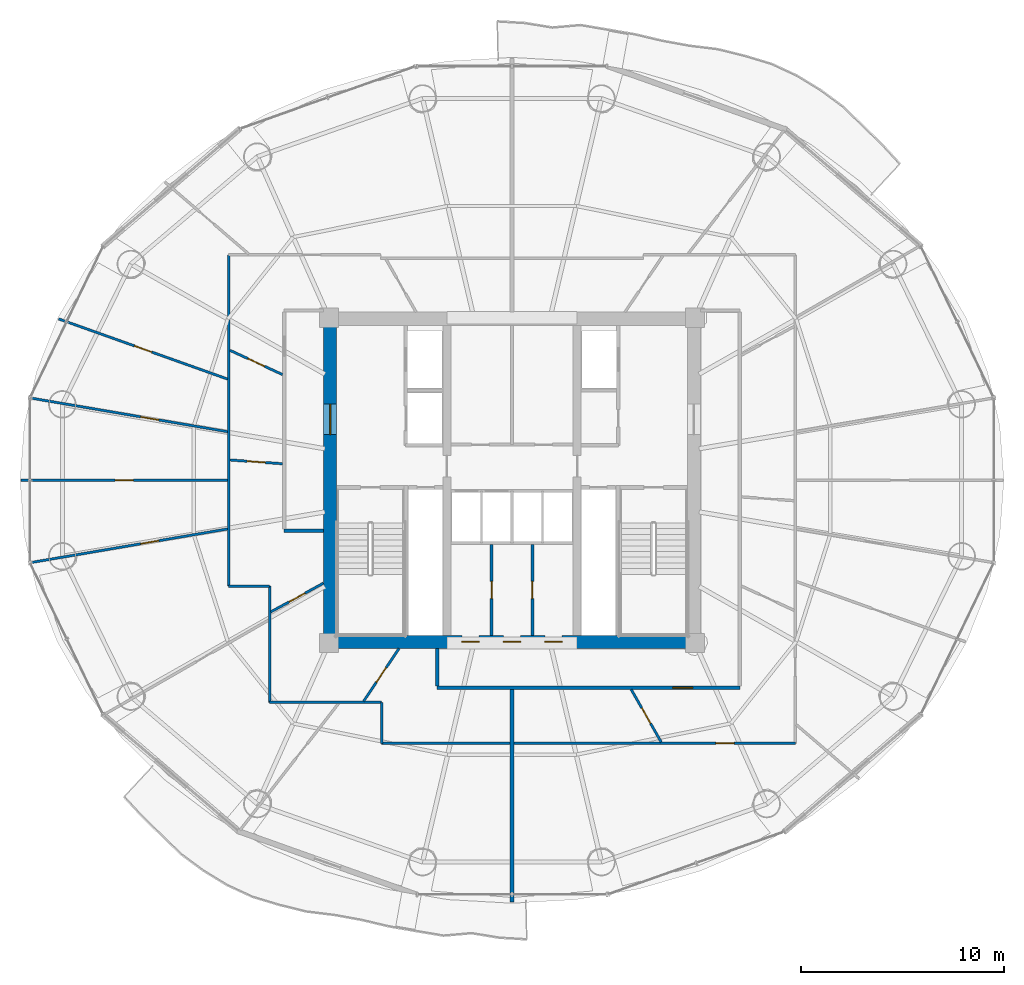
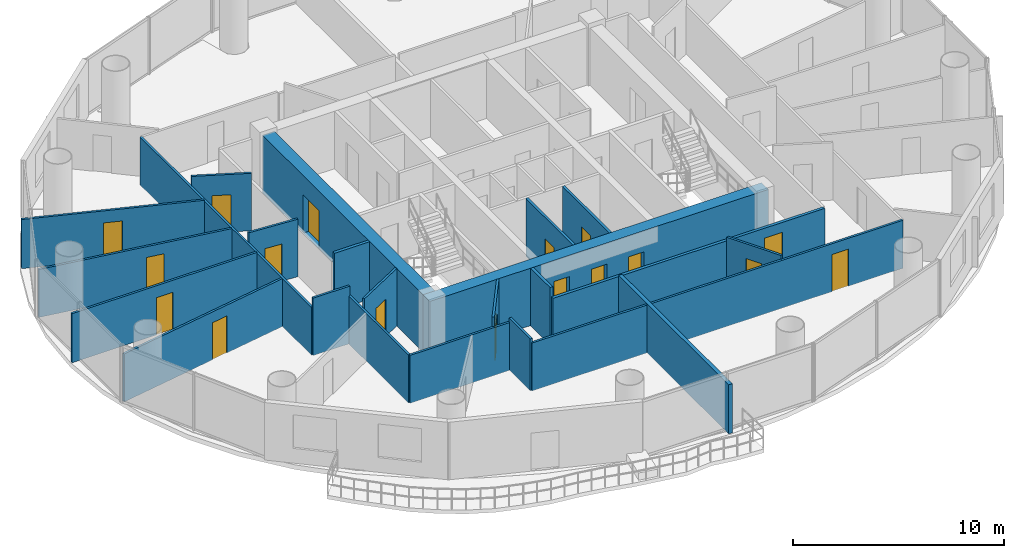
# One storey, part 20 of 26: 24 walls, 17 doors, 17 openings.
"""IFC4 building model written with IfcOpenShell, lengths in metres."""

from ifc_helpers import new_model, si_unit, direction, frame, frame_2d, origin, place, context, subcontext, project, spatial, rectangle, extrude, source, transform, mapped, material, layer, layer_set, type_object, element, fill, save


model = new_model("IFC4")

# Units and contexts
model_context = context("Model", 3, precision=1e-05, world=origin(), true_north=direction((-0.2419218956, 0.970295726276)))
body_context = subcontext(model_context, "Body", "Model", "MODEL_VIEW")
ifc_project = project(units=[si_unit("LENGTHUNIT", "METRE"), si_unit("AREAUNIT", "SQUARE_METRE"), si_unit("VOLUMEUNIT", "CUBIC_METRE"), si_unit("PLANEANGLEUNIT", "RADIAN"), si_unit("MASSUNIT", "GRAM", prefix="KILO")], contexts=[model_context])

# Site, building, storey
site_placement = place(None, origin())
site = spatial("IfcSite", under=ifc_project, at=site_placement, CompositionType="ELEMENT")
building_placement = place(site_placement, origin())
building = spatial("IfcBuilding", under=site, at=building_placement, Name="Cobrevalo Terracotta Tower", CompositionType="ELEMENT")
storey_placement = place(building_placement, frame((0.0, 0.0, 171.39990234375)))
storey = spatial("IfcBuildingStorey", under=building, at=storey_placement, Name="L45", CompositionType="ELEMENT", Elevation=171.39990234375)

# Wall, openings, doors
ifc_material_1 = material(Name="Concrete C55", Category="concrete")
ifc_layer_1 = layer(ifc_material_1, 0.64990234375)
ifc_layer_set_1 = layer_set([ifc_layer_1], Name="Concrete C55")
wall_type_1 = type_object("IfcWallType", Name="Core shear wall 650 mm Concrete C55", PredefinedType="SHEAR", material=ifc_layer_set_1)
wall_1_placement = place(storey_placement, frame((28.72509765625, 18.85009765625, 0.0), z_axis=(0.0, 0.0, 1.0), x_axis=(1.0, 0.0, 0.0)))
wall_1 = element("IfcWall", 1, at=wall_1_placement, inside=storey, type_object=wall_type_1, Name="L45 south core shear wall", PredefinedType="SHEAR", context=body_context, shape_type="SweptSolid", body=[
    extrude(rectangle(XDim=18.5498046875, YDim=0.64990234375, at=frame_2d((9.27490234375, 0.0))), origin(), (0.0, 0.0, 1.0), 3.330078125),
])
opening_1_placement = place(wall_1_placement, frame((6.81005859375, 0.0, 0.0)))
opening_1 = element("IfcOpeningElement", 2, at=opening_1_placement, cuts=wall_1, Name="Opening ID-22", PredefinedType="OPENING", context=body_context, shape_type="SweptSolid", body=[
    extrude(rectangle(XDim=0.85009765625, YDim=2.10009765625, at=frame_2d((0.425048828125, 1.050048828125))), frame((0.0, 0.3349609375, 0.0), z_axis=(0.0, -1.0, 0.0), x_axis=(1.0, 0.0, 0.0)), (0.0, 0.0, 1.0), 0.669921875),
])
opening_2_placement = place(wall_1_placement, frame((8.85009765625, 0.0, 0.0)))
opening_2 = element("IfcOpeningElement", 3, at=opening_2_placement, cuts=wall_1, Name="Opening ID-22", PredefinedType="OPENING", context=body_context, shape_type="SweptSolid", body=[
    extrude(rectangle(XDim=0.85009765625, YDim=2.10009765625, at=frame_2d((0.425048828125, 1.050048828125))), frame((0.0, 0.3349609375, 0.0), z_axis=(0.0, -1.0, 0.0), x_axis=(1.0, 0.0, 0.0)), (0.0, 0.0, 1.0), 0.669921875),
])
opening_3_placement = place(wall_1_placement, frame((10.889892578125, 0.0, 0.0)))
opening_3 = element("IfcOpeningElement", 4, at=opening_3_placement, cuts=wall_1, Name="Opening ID-22", PredefinedType="OPENING", context=body_context, shape_type="SweptSolid", body=[
    extrude(rectangle(XDim=0.85009765625, YDim=2.10009765625, at=frame_2d((0.425048828125, 1.050048828125))), frame((0.0, 0.3349609375, 0.0), z_axis=(0.0, -1.0, 0.0), x_axis=(1.0, 0.0, 0.0)), (0.0, 0.0, 1.0), 0.669921875),
])
ifc_material_2 = material(Name="Powder-coated steel", Category="steel")
door_type_1 = type_object("IfcDoorType", Name="Riser shaft & meter closet fire access door 850x2100 EI 60", OperationType="NOTDEFINED", PredefinedType="DOOR", material=ifc_material_2)
shared_shape_1 = source(origin(), body_context, "Body", "SweptSolid", [
    extrude(rectangle(XDim=0.85009765625, YDim=2.10009765625, at=frame_2d((0.425048828125, 1.050048828125))), frame((0.0, 0.02490234375, 0.0), z_axis=(0.0, -1.0, 0.0), x_axis=(1.0, 0.0, 0.0)), (0.0, 0.0, 1.0), 0.050048828125),
])
door_1_placement = place(opening_1_placement, origin())
door_1 = element("IfcDoor", 5, at=door_1_placement, inside=storey, type_object=door_type_1, Name="L45 core south plant door HVAC Supply Air Plant", OperationType="SINGLE_SWING_RIGHT", OverallHeight=2.10009765625, OverallWidth=0.85009765625, PredefinedType="DOOR", context=body_context, shape_type="MappedRepresentation", body=[
    mapped(shared_shape_1, transform((0.0, 0.0, 0.0), scale=1.0)),
])
fill(opening_1, door_1)
door_2_placement = place(opening_2_placement, origin())
door_2 = element("IfcDoor", 6, at=door_2_placement, inside=storey, type_object=door_type_1, Name="L45 core south plant door Refuse Chute Store Room", OperationType="SINGLE_SWING_RIGHT", OverallHeight=2.10009765625, OverallWidth=0.85009765625, PredefinedType="DOOR", context=body_context, shape_type="MappedRepresentation", body=[
    mapped(shared_shape_1, transform((0.0, 0.0, 0.0), scale=1.0)),
])
fill(opening_2, door_2)
door_3_placement = place(opening_3_placement, origin())
door_3 = element("IfcDoor", 7, at=door_3_placement, inside=storey, type_object=door_type_1, Name="L45 core south plant door Hydronic Pump Manifold Plant", OperationType="SINGLE_SWING_RIGHT", OverallHeight=2.10009765625, OverallWidth=0.85009765625, PredefinedType="DOOR", context=body_context, shape_type="MappedRepresentation", body=[
    mapped(shared_shape_1, transform((0.0, 0.0, 0.0), scale=1.0)),
])
fill(opening_3, door_3)

# Wall, opening, door
wall_2_placement = place(storey_placement, frame((29.050048828125, 19.175048828125, 0.0), z_axis=(0.0, 0.0, 1.0), x_axis=(0.0, 1.0, 0.0)))
wall_2 = element("IfcWall", 8, at=wall_2_placement, inside=storey, type_object=wall_type_1, Name="L45 west core shear wall", PredefinedType="SHEAR", context=body_context, shape_type="SweptSolid", body=[
    extrude(rectangle(XDim=15.25, YDim=0.64990234375, at=frame_2d((7.625, 0.0))), origin(), (0.0, 0.0, 1.0), 3.330078125),
])
opening_4_placement = place(wall_2_placement, frame((9.875, 0.0, 0.0)))
opening_4 = element("IfcOpeningElement", 9, at=opening_4_placement, cuts=wall_2, Name="Opening ID-14", PredefinedType="OPENING", context=body_context, shape_type="SweptSolid", body=[
    extrude(rectangle(XDim=1.5, YDim=2.199951171875, at=frame_2d((0.75, 1.10009765625))), frame((0.0, 0.3349609375, 0.0), z_axis=(0.0, -1.0, 0.0), x_axis=(1.0, 0.0, 0.0)), (0.0, 0.0, 1.0), 0.669921875),
])
ifc_material_3 = material(Name="Galvanized fire-rated steel", Category="steel")
door_type_2 = type_object("IfcDoorType", Name="Core cross-lobby double fire door 1500x2200 EI 90", OperationType="NOTDEFINED", PredefinedType="DOOR", material=ifc_material_3)
shared_shape_2 = source(origin(), body_context, "Body", "SweptSolid", [
    extrude(rectangle(XDim=1.5, YDim=2.199951171875, at=frame_2d((0.75, 1.10009765625))), frame((0.0, 0.02490234375, 0.0), z_axis=(0.0, -1.0, 0.0), x_axis=(1.0, 0.0, 0.0)), (0.0, 0.0, 1.0), 0.050048828125),
])
door_4_placement = place(opening_4_placement, origin())
door_4 = element("IfcDoor", 10, at=door_4_placement, inside=storey, type_object=door_type_2, Name="L45 west firefighting lobby entrance door", OperationType="DOUBLE_DOOR_SINGLE_SWING", OverallHeight=2.199951171875, OverallWidth=1.5, PredefinedType="DOOR", context=body_context, shape_type="MappedRepresentation", body=[
    mapped(shared_shape_2, transform((0.0, 0.0, 0.0), scale=1.0)),
])
fill(opening_4, door_4)

# Wall
ifc_material_4 = material(Name="Gypsum board on steel stud", Category="steel")
ifc_layer_2 = layer(ifc_material_4, 0.159912109375)
ifc_layer_set_2 = layer_set([ifc_layer_2], Name="Gypsum board on steel stud")
wall_type_2 = type_object("IfcWallType", Name="Fire-rated corridor acoustic partition wall 160 mm", PredefinedType="PARTITIONING", material=ifc_layer_set_2)
wall_3_placement = place(storey_placement, frame((26.794921875, 24.320068359375, 0.0), z_axis=(0.0, 0.0, 1.0), x_axis=(1.0, 0.0, 0.0)))
element("IfcWall", 11, at=wall_3_placement, inside=storey, type_object=wall_type_2, Name="L45 interior partition IW-L45-COR-WS-CAP", PredefinedType="PARTITIONING", context=body_context, shape_type="SweptSolid", body=[
    extrude(rectangle(XDim=1.93017578125, YDim=0.159912109375, at=frame_2d((0.965087890625, 0.0))), origin(), (0.0, 0.0, 1.0), 3.330078125),
])

# Wall, opening, door
wall_4_placement = place(storey_placement, frame((34.320068359375, 16.594970703125, 0.0), z_axis=(0.0, 0.0, 1.0), x_axis=(1.0, 0.0, 0.0)))
wall_4 = element("IfcWall", 12, at=wall_4_placement, inside=storey, type_object=wall_type_2, Name="L45 interior partition IW-L45-COR-S", PredefinedType="PARTITIONING", context=body_context, shape_type="SweptSolid", body=[
    extrude(rectangle(XDim=14.885009765625, YDim=0.159912109375, at=frame_2d((7.4423828125, 0.0))), origin(), (0.0, 0.0, 1.0), 2.776123046875),
])
opening_5_placement = place(wall_4_placement, frame((11.589599609375, 0.0, 0.0)))
opening_5 = element("IfcOpeningElement", 13, at=opening_5_placement, cuts=wall_4, Name="Opening ID-05", PredefinedType="OPENING", context=body_context, shape_type="SweptSolid", body=[
    extrude(rectangle(XDim=0.97998046875, YDim=2.199951171875, at=frame_2d((0.489990234375, 1.10009765625))), frame((0.0, 0.08984375, 0.0), z_axis=(0.0, -1.0, 0.0), x_axis=(1.0, 0.0, 0.0)), (0.0, 0.0, 1.0), 0.179931640625),
])
ifc_material_5 = material(Name="Solid hardwood timber", Category="wood")
door_type_3 = type_object("IfcDoorType", Name="Residence entrance fire-rated acoustic timber door 980x2200 EI 60", OperationType="NOTDEFINED", PredefinedType="DOOR", material=ifc_material_5)
shared_shape_3 = source(origin(), body_context, "Body", "SweptSolid", [
    extrude(rectangle(XDim=0.97998046875, YDim=2.199951171875, at=frame_2d((0.489990234375, 1.10009765625))), frame((0.0, 0.02490234375, 0.0), z_axis=(0.0, -1.0, 0.0), x_axis=(1.0, 0.0, 0.0)), (0.0, 0.0, 1.0), 0.050048828125),
])
door_5_placement = place(opening_5_placement, origin())
door_5 = element("IfcDoor", 14, at=door_5_placement, inside=storey, type_object=door_type_3, Name="Flat L45B fire-rated apartment entrance door", OperationType="SINGLE_SWING_LEFT", OverallHeight=2.199951171875, OverallWidth=0.97998046875, PredefinedType="DOOR", context=body_context, shape_type="MappedRepresentation", body=[
    mapped(shared_shape_3, transform((0.0, 0.0, 0.0), scale=1.0)),
])
fill(opening_5, door_5)

# Walls
wall_5_placement = place(storey_placement, frame((34.320068359375, 16.675048828125, 0.0), z_axis=(0.0, 0.0, 1.0), x_axis=(0.0, 1.0, 0.0)))
element("IfcWall", 15, at=wall_5_placement, inside=storey, type_object=wall_type_2, Name="L45 interior partition IW-L45-COR-SW-CAP", PredefinedType="PARTITIONING", context=body_context, shape_type="SweptSolid", body=[
    extrude(rectangle(XDim=1.849853515625, YDim=0.159912109375, at=frame_2d((0.9248046875, 0.0))), origin(), (0.0, 0.0, 1.0), 3.330078125),
])
ifc_material_6 = material(Name="Autoclaved aerated concrete block", Category="concrete")
ifc_layer_3 = layer(ifc_material_6, 0.199951171875)
ifc_layer_set_3 = layer_set([ifc_layer_3], Name="Autoclaved aerated concrete block")
wall_type_3 = type_object("IfcWallType", Name="Fire-rated stair, shaft & demising masonry wall 200 mm", PredefinedType="PARTITIONING", material=ifc_layer_set_3)
wall_6_placement = place(storey_placement, frame((38.0, 16.514892578125, 0.0), z_axis=(0.0, 0.0, 1.0), x_axis=(0.0, -1.0, 0.0)))
element("IfcWall", 16, at=wall_6_placement, inside=storey, type_object=wall_type_3, Name="L45 interior partition IW-L45-DEM-2", PredefinedType="PARTITIONING", context=body_context, shape_type="SweptSolid", body=[
    extrude(rectangle(XDim=10.454833984375, YDim=0.199951171875, at=frame_2d((5.2275390625, 0.0))), origin(), (0.0, 0.0, 1.0), 2.84619140625),
])

# Wall, opening, door
ifc_layer_4 = layer(ifc_material_6, 0.139892578125)
ifc_layer_set_4 = layer_set([ifc_layer_4], Name="Autoclaved aerated concrete block")
wall_type_4 = type_object("IfcWallType", Name="Moisture-resistant wet-room & core service partition 140 mm", PredefinedType="PARTITIONING", material=ifc_layer_set_4)
wall_7_placement = place(storey_placement, frame((37.0, 19.175048828125, 0.0), z_axis=(0.0, 0.0, 1.0), x_axis=(0.0, 1.0, 0.0)))
wall_7 = element("IfcWall", 17, at=wall_7_placement, inside=storey, type_object=wall_type_4, Name="L45 interior partition IW-L45-KVS-V1", PredefinedType="PARTITIONING", context=body_context, shape_type="SweptSolid", body=[
    extrude(rectangle(XDim=4.46484375, YDim=0.139892578125, at=frame_2d((2.232421875, 0.0))), origin(), (0.0, 0.0, 1.0), 3.330078125),
])
opening_6_placement = place(wall_7_placement, frame((1.8076171875, 0.0, 0.0)))
opening_6 = element("IfcOpeningElement", 18, at=opening_6_placement, cuts=wall_7, Name="Opening ID-22", PredefinedType="OPENING", context=body_context, shape_type="SweptSolid", body=[
    extrude(rectangle(XDim=0.85009765625, YDim=2.10009765625, at=frame_2d((0.425048828125, 1.050048828125))), frame((0.0, 0.080078125, 0.0), z_axis=(0.0, -1.0, 0.0), x_axis=(1.0, 0.0, 0.0)), (0.0, 0.0, 1.0), 0.159912109375),
])
door_6_placement = place(opening_6_placement, origin())
door_6 = element("IfcDoor", 19, at=door_6_placement, inside=storey, type_object=door_type_1, Name="L45 core KVS-V1 inner door", OperationType="SINGLE_SWING_LEFT", OverallHeight=2.10009765625, OverallWidth=0.85009765625, PredefinedType="DOOR", context=body_context, shape_type="MappedRepresentation", body=[
    mapped(shared_shape_1, transform((0.0, 0.0, 0.0), scale=1.0)),
])
fill(opening_6, door_6)

wall_8_placement = place(storey_placement, frame((39.0, 19.175048828125, 0.0), z_axis=(0.0, 0.0, 1.0), x_axis=(0.0, 1.0, 0.0)))
wall_8 = element("IfcWall", 20, at=wall_8_placement, inside=storey, type_object=wall_type_4, Name="L45 interior partition IW-L45-KVS-V2", PredefinedType="PARTITIONING", context=body_context, shape_type="SweptSolid", body=[
    extrude(rectangle(XDim=4.46484375, YDim=0.139892578125, at=frame_2d((2.232421875, 0.0))), origin(), (0.0, 0.0, 1.0), 3.330078125),
])
opening_7_placement = place(wall_8_placement, frame((1.8076171875, 0.0, 0.0)))
opening_7 = element("IfcOpeningElement", 21, at=opening_7_placement, cuts=wall_8, Name="Opening ID-22", PredefinedType="OPENING", context=body_context, shape_type="SweptSolid", body=[
    extrude(rectangle(XDim=0.85009765625, YDim=2.10009765625, at=frame_2d((0.425048828125, 1.050048828125))), frame((0.0, 0.080078125, 0.0), z_axis=(0.0, -1.0, 0.0), x_axis=(1.0, 0.0, 0.0)), (0.0, 0.0, 1.0), 0.159912109375),
])
door_7_placement = place(opening_7_placement, origin())
door_7 = element("IfcDoor", 22, at=door_7_placement, inside=storey, type_object=door_type_1, Name="L45 core KVS-V2 inner door", OperationType="SINGLE_SWING_LEFT", OverallHeight=2.10009765625, OverallWidth=0.85009765625, PredefinedType="DOOR", context=body_context, shape_type="MappedRepresentation", body=[
    mapped(shared_shape_1, transform((0.0, 0.0, 0.0), scale=1.0)),
])
fill(opening_7, door_7)

# Walls
ifc_layer_5 = layer(ifc_material_4, 0.1201171875)
ifc_layer_set_5 = layer_set([ifc_layer_5], Name="Gypsum board on steel stud")
wall_type_5 = type_object("IfcWallType", Name="Residential internal acoustic stud partition 120 mm", PredefinedType="PARTITIONING", material=ifc_layer_set_5)
wall_9_placement = place(storey_placement, frame((37.89794921875, 13.864990234375, 0.0), z_axis=(0.0, 0.0, 1.0), x_axis=(-1.0, 0.0, 0.0)))
element("IfcWall", 23, at=wall_9_placement, inside=storey, type_object=wall_type_5, Name="L45 interior partition IW-L45-U1-RING0_0", PredefinedType="PARTITIONING", context=body_context, shape_type="SweptSolid", body=[
    extrude(rectangle(XDim=6.307861328125, YDim=0.1201171875, at=frame_2d((3.15380859375, 0.0))), origin(), (0.0, 0.0, 1.0), 2.776123046875),
])
wall_10_placement = place(storey_placement, frame((31.590087890625, 13.864990234375, 0.0), z_axis=(0.0, 0.0, 1.0), x_axis=(0.0, 1.0, 0.0)))
element("IfcWall", 24, at=wall_10_placement, inside=storey, type_object=wall_type_5, Name="L45 interior partition IW-L45-U1-RING1_0", PredefinedType="PARTITIONING", context=body_context, shape_type="SweptSolid", body=[
    extrude(rectangle(XDim=2.010009765625, YDim=0.1201171875, at=frame_2d((1.0048828125, 0.0))), origin(), (0.0, 0.0, 1.0), 3.005126953125),
])
wall_11_placement = place(storey_placement, frame((31.590087890625, 15.875, 0.0), z_axis=(0.0, 0.0, 1.0), x_axis=(-1.0, 0.0, 0.0)))
element("IfcWall", 25, at=wall_11_placement, inside=storey, type_object=wall_type_5, Name="L45 interior partition IW-L45-U1-RING2_0", PredefinedType="PARTITIONING", context=body_context, shape_type="SweptSolid", body=[
    extrude(rectangle(XDim=5.51513671875, YDim=0.1201171875, at=frame_2d((2.757568359375, 0.0))), origin(), (0.0, 0.0, 1.0), 2.776123046875),
])
wall_12_placement = place(storey_placement, frame((26.074951171875, 15.875, 0.0), z_axis=(0.0, 0.0, 1.0), x_axis=(0.0, 1.0, 0.0)))
element("IfcWall", 26, at=wall_12_placement, inside=storey, type_object=wall_type_5, Name="L45 interior partition IW-L45-U1-RING3_0", PredefinedType="PARTITIONING", context=body_context, shape_type="SweptSolid", body=[
    extrude(rectangle(XDim=5.715087890625, YDim=0.1201171875, at=frame_2d((2.857421875, 0.0))), origin(), (0.0, 0.0, 1.0), 2.776123046875),
])
wall_13_placement = place(storey_placement, frame((26.074951171875, 21.590087890625, 0.0), z_axis=(0.0, 0.0, 1.0), x_axis=(-1.0, 0.0, 0.0)))
element("IfcWall", 27, at=wall_13_placement, inside=storey, type_object=wall_type_5, Name="L45 interior partition IW-L45-U1-RING4_0", PredefinedType="PARTITIONING", context=body_context, shape_type="SweptSolid", body=[
    extrude(rectangle(XDim=2.010009765625, YDim=0.1201171875, at=frame_2d((1.0048828125, 0.0))), origin(), (0.0, 0.0, 1.0), 3.330078125),
])
wall_14_placement = place(storey_placement, frame((24.06494140625, 21.590087890625, 0.0), z_axis=(0.0, 0.0, 1.0), x_axis=(0.0, 1.0, 0.0)))
element("IfcWall", 28, at=wall_14_placement, inside=storey, type_object=wall_type_5, Name="L45 interior partition IW-L45-U1-RING5_0", PredefinedType="PARTITIONING", context=body_context, shape_type="SweptSolid", body=[
    extrude(rectangle(XDim=16.294921875, YDim=0.1201171875, at=frame_2d((8.1474609375, 0.0))), origin(), (0.0, 0.0, 1.0), 2.776123046875),
])

# Wall, opening, door
wall_15_placement = place(storey_placement, frame((24.006591796875, 31.781982421875, 0.0), z_axis=(0.0, 0.0, 1.0), x_axis=(-0.942077868165, 0.335394231187, 0.0)))
wall_15 = element("IfcWall", 29, at=wall_15_placement, inside=storey, type_object=wall_type_5, Name="L45 interior partition IW-L45-U1-ORAD2", PredefinedType="PARTITIONING", context=body_context, shape_type="SweptSolid", body=[
    extrude(rectangle(XDim=8.816650390625, YDim=0.1201171875, at=frame_2d((4.408203125, 0.0))), origin(), (0.0, 0.0, 1.0), 2.84619140625),
])
opening_8_placement = place(wall_15_placement, frame((3.95849609375, 0.0, 0.0)))
opening_8 = element("IfcOpeningElement", 30, at=opening_8_placement, cuts=wall_15, Name="Opening ID-12", PredefinedType="OPENING", context=body_context, shape_type="SweptSolid", body=[
    extrude(rectangle(XDim=0.89990234375, YDim=2.14990234375, at=frame_2d((0.449951171875, 1.074951171875))), frame((0.0, 0.070068359375, 0.0), z_axis=(0.0, -1.0, 0.0), x_axis=(1.0, 0.0, 0.0)), (0.0, 0.0, 1.0), 0.14013671875),
])
ifc_material_7 = material(Name="Engineered timber", Category="wood")
door_type_4 = type_object("IfcDoorType", Name="Internal residence & suite timber door 900x2150", OperationType="NOTDEFINED", PredefinedType="DOOR", material=ifc_material_7)
shared_shape_4 = source(origin(), body_context, "Body", "SweptSolid", [
    extrude(rectangle(XDim=0.89990234375, YDim=2.14990234375, at=frame_2d((0.449951171875, 1.074951171875))), frame((0.0, 0.02490234375, 0.0), z_axis=(0.0, -1.0, 0.0), x_axis=(1.0, 0.0, 0.0)), (0.0, 0.0, 1.0), 0.050048828125),
])
door_8_placement = place(opening_8_placement, origin())
door_8 = element("IfcDoor", 31, at=door_8_placement, inside=storey, type_object=door_type_4, Name="Flat L45A Principal Guest Bedroom internal door", OperationType="SINGLE_SWING_LEFT", OverallHeight=2.14990234375, OverallWidth=0.89990234375, PredefinedType="DOOR", context=body_context, shape_type="MappedRepresentation", body=[
    mapped(shared_shape_4, transform((0.0, 0.0, 0.0), scale=1.0)),
])
fill(opening_8, door_8)

wall_16_placement = place(storey_placement, frame((24.00390625, 29.19287109375, 0.0), z_axis=(0.0, 0.0, 1.0), x_axis=(-0.985698378271, 0.168519159369, 0.0)))
wall_16 = element("IfcWall", 32, at=wall_16_placement, inside=storey, type_object=wall_type_5, Name="L45 interior partition IW-L45-U1-ORAD3M1", PredefinedType="PARTITIONING", context=body_context, shape_type="SweptSolid", body=[
    extrude(rectangle(XDim=9.768798828125, YDim=0.1201171875, at=frame_2d((4.88427734375, 0.0))), origin(), (0.0, 0.0, 1.0), 2.776123046875),
])
opening_9_placement = place(wall_16_placement, frame((3.427734375, 0.0, 0.0)))
opening_9 = element("IfcOpeningElement", 33, at=opening_9_placement, cuts=wall_16, Name="Opening ID-12", PredefinedType="OPENING", context=body_context, shape_type="SweptSolid", body=[
    extrude(rectangle(XDim=0.89990234375, YDim=2.14990234375, at=frame_2d((0.449951171875, 1.074951171875))), frame((0.0, 0.070068359375, 0.0), z_axis=(0.0, -1.0, 0.0), x_axis=(1.0, 0.0, 0.0)), (0.0, 0.0, 1.0), 0.14013671875),
])
door_9_placement = place(opening_9_placement, origin())
door_9 = element("IfcDoor", 34, at=door_9_placement, inside=storey, type_object=door_type_4, Name="Flat L45A North Bedroom internal door", OperationType="SINGLE_SWING_RIGHT", OverallHeight=2.14990234375, OverallWidth=0.89990234375, PredefinedType="DOOR", context=body_context, shape_type="MappedRepresentation", body=[
    mapped(shared_shape_4, transform((0.0, 0.0, 0.0), scale=1.0)),
])
fill(opening_9, door_9)

wall_17_placement = place(storey_placement, frame((24.0029296875, 26.800048828125, 0.0), z_axis=(0.0, 0.0, 1.0), x_axis=(-1.0, 0.0, 0.0)))
wall_17 = element("IfcWall", 35, at=wall_17_placement, inside=storey, type_object=wall_type_5, Name="L45 interior partition IW-L45-U1-ORAD3", PredefinedType="PARTITIONING", context=body_context, shape_type="SweptSolid", body=[
    extrude(rectangle(XDim=10.142822265625, YDim=0.1201171875, at=frame_2d((5.0712890625, 0.0))), origin(), (0.0, 0.0, 1.0), 2.84619140625),
])
opening_10_placement = place(wall_17_placement, frame((4.62158203125, 0.0, 0.0)))
opening_10 = element("IfcOpeningElement", 36, at=opening_10_placement, cuts=wall_17, Name="Opening ID-12", PredefinedType="OPENING", context=body_context, shape_type="SweptSolid", body=[
    extrude(rectangle(XDim=0.89990234375, YDim=2.14990234375, at=frame_2d((0.449951171875, 1.074951171875))), frame((0.0, 0.070068359375, 0.0), z_axis=(0.0, -1.0, 0.0), x_axis=(1.0, 0.0, 0.0)), (0.0, 0.0, 1.0), 0.14013671875),
])
door_10_placement = place(opening_10_placement, origin())
door_10 = element("IfcDoor", 37, at=door_10_placement, inside=storey, type_object=door_type_4, Name="Flat L45A South Bedroom internal door", OperationType="SINGLE_SWING_LEFT", OverallHeight=2.14990234375, OverallWidth=0.89990234375, PredefinedType="DOOR", context=body_context, shape_type="MappedRepresentation", body=[
    mapped(shared_shape_4, transform((0.0, 0.0, 0.0), scale=1.0)),
])
fill(opening_10, door_10)

wall_18_placement = place(storey_placement, frame((24.00390625, 24.4072265625, 0.0), z_axis=(0.0, 0.0, 1.0), x_axis=(-0.985698378271, -0.168519159369, 0.0)))
wall_18 = element("IfcWall", 38, at=wall_18_placement, inside=storey, type_object=wall_type_5, Name="L45 interior partition IW-L45-U1-ORAD4M1", PredefinedType="PARTITIONING", context=body_context, shape_type="SweptSolid", body=[
    extrude(rectangle(XDim=9.768798828125, YDim=0.1201171875, at=frame_2d((4.88427734375, 0.0))), origin(), (0.0, 0.0, 1.0), 2.776123046875),
])
opening_11_placement = place(wall_18_placement, frame((3.42822265625, 0.0, 0.0)))
opening_11 = element("IfcOpeningElement", 39, at=opening_11_placement, cuts=wall_18, Name="Opening ID-12", PredefinedType="OPENING", context=body_context, shape_type="SweptSolid", body=[
    extrude(rectangle(XDim=0.89990234375, YDim=2.14990234375, at=frame_2d((0.449951171875, 1.074951171875))), frame((0.0, 0.070068359375, 0.0), z_axis=(0.0, -1.0, 0.0), x_axis=(1.0, 0.0, 0.0)), (0.0, 0.0, 1.0), 0.14013671875),
])
door_11_placement = place(opening_11_placement, origin())
door_11 = element("IfcDoor", 40, at=door_11_placement, inside=storey, type_object=door_type_4, Name="Flat L45A Penthouse Family Lounge internal door", OperationType="SINGLE_SWING_RIGHT", OverallHeight=2.14990234375, OverallWidth=0.89990234375, PredefinedType="DOOR", context=body_context, shape_type="MappedRepresentation", body=[
    mapped(shared_shape_4, transform((0.0, 0.0, 0.0), scale=1.0)),
])
fill(opening_11, door_11)

wall_19_placement = place(storey_placement, frame((26.715087890625, 32.000732421875, 0.0), z_axis=(0.0, 0.0, 1.0), x_axis=(-0.90819942915, 0.418537688735, 0.0)))
wall_19 = element("IfcWall", 41, at=wall_19_placement, inside=storey, type_object=wall_type_5, Name="L45 interior partition IW-L45-U1-IRAD2", PredefinedType="PARTITIONING", context=body_context, shape_type="SweptSolid", body=[
    extrude(rectangle(XDim=2.85595703125, YDim=0.1201171875, at=frame_2d((1.427978515625, 0.0))), origin(), (0.0, 0.0, 1.0), 3.330078125),
])
opening_12_placement = place(wall_19_placement, frame((0.977783203125, 0.0, 0.0)))
opening_12 = element("IfcOpeningElement", 42, at=opening_12_placement, cuts=wall_19, Name="Opening ID-12", PredefinedType="OPENING", context=body_context, shape_type="SweptSolid", body=[
    extrude(rectangle(XDim=0.89990234375, YDim=2.14990234375, at=frame_2d((0.449951171875, 1.074951171875))), frame((0.0, 0.070068359375, 0.0), z_axis=(0.0, -1.0, 0.0), x_axis=(1.0, 0.0, 0.0)), (0.0, 0.0, 1.0), 0.14013671875),
])
door_12_placement = place(opening_12_placement, origin())
door_12 = element("IfcDoor", 43, at=door_12_placement, inside=storey, type_object=door_type_4, Name="Flat L45A Kitchen internal door", OperationType="SINGLE_SWING_RIGHT", OverallHeight=2.14990234375, OverallWidth=0.89990234375, PredefinedType="DOOR", context=body_context, shape_type="MappedRepresentation", body=[
    mapped(shared_shape_4, transform((0.0, 0.0, 0.0), scale=1.0)),
])
fill(opening_12, door_12)

wall_20_placement = place(storey_placement, frame((26.715087890625, 27.614501953125, 0.0), z_axis=(0.0, 0.0, 1.0), x_axis=(-0.997406375801, 0.071975839778, 0.0)))
wall_20 = element("IfcWall", 44, at=wall_20_placement, inside=storey, type_object=wall_type_5, Name="L45 interior partition IW-L45-U1-IRAD3", PredefinedType="PARTITIONING", context=body_context, shape_type="SweptSolid", body=[
    extrude(rectangle(XDim=2.594970703125, YDim=0.1201171875, at=frame_2d((1.29736328125, 0.0))), origin(), (0.0, 0.0, 1.0), 3.330078125),
])
opening_13_placement = place(wall_20_placement, frame((0.847412109375, 0.0, 0.0)))
opening_13 = element("IfcOpeningElement", 45, at=opening_13_placement, cuts=wall_20, Name="Opening ID-12", PredefinedType="OPENING", context=body_context, shape_type="SweptSolid", body=[
    extrude(rectangle(XDim=0.89990234375, YDim=2.14990234375, at=frame_2d((0.449951171875, 1.074951171875))), frame((0.0, 0.070068359375, 0.0), z_axis=(0.0, -1.0, 0.0), x_axis=(1.0, 0.0, 0.0)), (0.0, 0.0, 1.0), 0.14013671875),
])
door_13_placement = place(opening_13_placement, origin())
door_13 = element("IfcDoor", 46, at=door_13_placement, inside=storey, type_object=door_type_4, Name="Flat L45A Private Library Meeting Room internal door", OperationType="SINGLE_SWING_LEFT", OverallHeight=2.14990234375, OverallWidth=0.89990234375, PredefinedType="DOOR", context=body_context, shape_type="MappedRepresentation", body=[
    mapped(shared_shape_4, transform((0.0, 0.0, 0.0), scale=1.0)),
])
fill(opening_13, door_13)

wall_21_placement = place(storey_placement, frame((28.72314453125, 21.739990234375, 0.0), z_axis=(0.0, 0.0, 1.0), x_axis=(-0.877892414948, -0.47885792024, 0.0)))
wall_21 = element("IfcWall", 47, at=wall_21_placement, inside=storey, type_object=wall_type_5, Name="L45 interior partition IW-L45-U1-IRAD4", PredefinedType="PARTITIONING", context=body_context, shape_type="SweptSolid", body=[
    extrude(rectangle(XDim=2.95458984375, YDim=0.1201171875, at=frame_2d((1.477294921875, 0.0))), origin(), (0.0, 0.0, 1.0), 3.330078125),
])
opening_14_placement = place(wall_21_placement, frame((1.02734375, 0.0, 0.0)))
opening_14 = element("IfcOpeningElement", 48, at=opening_14_placement, cuts=wall_21, Name="Opening ID-12", PredefinedType="OPENING", context=body_context, shape_type="SweptSolid", body=[
    extrude(rectangle(XDim=0.89990234375, YDim=2.14990234375, at=frame_2d((0.449951171875, 1.074951171875))), frame((0.0, 0.070068359375, 0.0), z_axis=(0.0, -1.0, 0.0), x_axis=(1.0, 0.0, 0.0)), (0.0, 0.0, 1.0), 0.14013671875),
])
door_14_placement = place(opening_14_placement, origin())
door_14 = element("IfcDoor", 49, at=door_14_placement, inside=storey, type_object=door_type_4, Name="Flat L45A Utility Closet internal door", OperationType="SINGLE_SWING_RIGHT", OverallHeight=2.14990234375, OverallWidth=0.89990234375, PredefinedType="DOOR", context=body_context, shape_type="MappedRepresentation", body=[
    mapped(shared_shape_4, transform((0.0, 0.0, 0.0), scale=1.0)),
])
fill(opening_14, door_14)

wall_22_placement = place(storey_placement, frame((32.44140625, 18.52490234375, 0.0), z_axis=(0.0, 0.0, 1.0), x_axis=(-0.557594690071, -0.830113342625, 0.0)))
wall_22 = element("IfcWall", 50, at=wall_22_placement, inside=storey, type_object=wall_type_5, Name="L45 interior partition IW-L45-U1-IRAD5", PredefinedType="PARTITIONING", context=body_context, shape_type="SweptSolid", body=[
    extrude(rectangle(XDim=3.130126953125, YDim=0.1201171875, at=frame_2d((1.56494140625, 0.0))), origin(), (0.0, 0.0, 1.0), 3.330078125),
])
opening_15_placement = place(wall_22_placement, frame((1.13525390625, 0.0, 0.0)))
opening_15 = element("IfcOpeningElement", 51, at=opening_15_placement, cuts=wall_22, Name="Opening ID-19", PredefinedType="OPENING", context=body_context, shape_type="SweptSolid", body=[
    extrude(rectangle(XDim=0.860107421875, YDim=2.14990234375, at=frame_2d((0.43017578125, 1.074951171875))), frame((0.0, 0.070068359375, 0.0), z_axis=(0.0, -1.0, 0.0), x_axis=(1.0, 0.0, 0.0)), (0.0, 0.0, 1.0), 0.14013671875),
])
ifc_material_8 = material(Name="Moisture-sealed timber", Category="wood")
door_type_5 = type_object("IfcDoorType", Name="Suite bathroom internal timber door 860x2150", OperationType="NOTDEFINED", PredefinedType="DOOR", material=ifc_material_8)
shared_shape_5 = source(origin(), body_context, "Body", "SweptSolid", [
    extrude(rectangle(XDim=0.860107421875, YDim=2.14990234375, at=frame_2d((0.43017578125, 1.074951171875))), frame((0.0, 0.02490234375, 0.0), z_axis=(0.0, -1.0, 0.0), x_axis=(1.0, 0.0, 0.0)), (0.0, 0.0, 1.0), 0.050048828125),
])
door_15_placement = place(opening_15_placement, origin())
door_15 = element("IfcDoor", 52, at=door_15_placement, inside=storey, type_object=door_type_5, Name="Flat L45A Guest Bathroom internal door", OperationType="SINGLE_SWING_LEFT", OverallHeight=2.14990234375, OverallWidth=0.860107421875, PredefinedType="DOOR", context=body_context, shape_type="MappedRepresentation", body=[
    mapped(shared_shape_5, transform((0.0, 0.0, 0.0), scale=1.0)),
])
fill(opening_15, door_15)

wall_23_placement = place(storey_placement, frame((51.93505859375, 13.864990234375, 0.0), z_axis=(0.0, 0.0, 1.0), x_axis=(-1.0, 0.0, 0.0)))
wall_23 = element("IfcWall", 53, at=wall_23_placement, inside=storey, type_object=wall_type_5, Name="L45 interior partition IW-L45-U2-RING4_0", PredefinedType="PARTITIONING", context=body_context, shape_type="SweptSolid", body=[
    extrude(rectangle(XDim=13.8330078125, YDim=0.1201171875, at=frame_2d((6.91650390625, 0.0))), origin(), (0.0, 0.0, 1.0), 2.776123046875),
])
opening_16_placement = place(wall_23_placement, frame((3.00927734375, 0.0, 0.0)))
opening_16 = element("IfcOpeningElement", 54, at=opening_16_placement, cuts=wall_23, Name="Opening ID-12", PredefinedType="OPENING", context=body_context, shape_type="SweptSolid", body=[
    extrude(rectangle(XDim=0.89990234375, YDim=2.14990234375, at=frame_2d((0.449951171875, 1.074951171875))), frame((0.0, 0.070068359375, 0.0), z_axis=(0.0, -1.0, 0.0), x_axis=(1.0, 0.0, 0.0)), (0.0, 0.0, 1.0), 0.14013671875),
])
door_16_placement = place(opening_16_placement, origin())
door_16 = element("IfcDoor", 55, at=door_16_placement, inside=storey, type_object=door_type_4, Name="Flat L45B Penthouse Living and Dining Room internal door", OperationType="SINGLE_SWING_LEFT", OverallHeight=2.14990234375, OverallWidth=0.89990234375, PredefinedType="DOOR", context=body_context, shape_type="MappedRepresentation", body=[
    mapped(shared_shape_4, transform((0.0, 0.0, 0.0), scale=1.0)),
])
fill(opening_16, door_16)

wall_24_placement = place(storey_placement, frame((43.862060546875, 16.514892578125, 0.0), z_axis=(0.0, 0.0, 1.0), x_axis=(0.495214761056, -0.868770591372, 0.0)))
wall_24 = element("IfcWall", 56, at=wall_24_placement, inside=storey, type_object=wall_type_5, Name="L45 interior partition IW-L45-U2-IRAD1", PredefinedType="PARTITIONING", context=body_context, shape_type="SweptSolid", body=[
    extrude(rectangle(XDim=2.988037109375, YDim=0.1201171875, at=frame_2d((1.494140625, 0.0))), origin(), (0.0, 0.0, 1.0), 3.005126953125),
])
opening_17_placement = place(wall_24_placement, frame((1.064208984375, 0.0, 0.0)))
opening_17 = element("IfcOpeningElement", 57, at=opening_17_placement, cuts=wall_24, Name="Opening ID-19", PredefinedType="OPENING", context=body_context, shape_type="SweptSolid", body=[
    extrude(rectangle(XDim=0.860107421875, YDim=2.14990234375, at=frame_2d((0.43017578125, 1.074951171875))), frame((0.0, 0.070068359375, 0.0), z_axis=(0.0, -1.0, 0.0), x_axis=(1.0, 0.0, 0.0)), (0.0, 0.0, 1.0), 0.14013671875),
])
door_17_placement = place(opening_17_placement, frame((0.860107421875, 0.0, 0.0), z_axis=(0.0, 0.0, 1.0), x_axis=(-1.0, 0.0, 0.0)))
door_17 = element("IfcDoor", 58, at=door_17_placement, inside=storey, type_object=door_type_5, Name="Flat L45B Primary Bathroom internal door", OperationType="SINGLE_SWING_RIGHT", OverallHeight=2.14990234375, OverallWidth=0.860107421875, PredefinedType="DOOR", context=body_context, shape_type="MappedRepresentation", body=[
    mapped(shared_shape_5, transform((0.0, 0.0, 0.0), scale=1.0)),
])
fill(opening_17, door_17)

save(model, "model.ifc")
